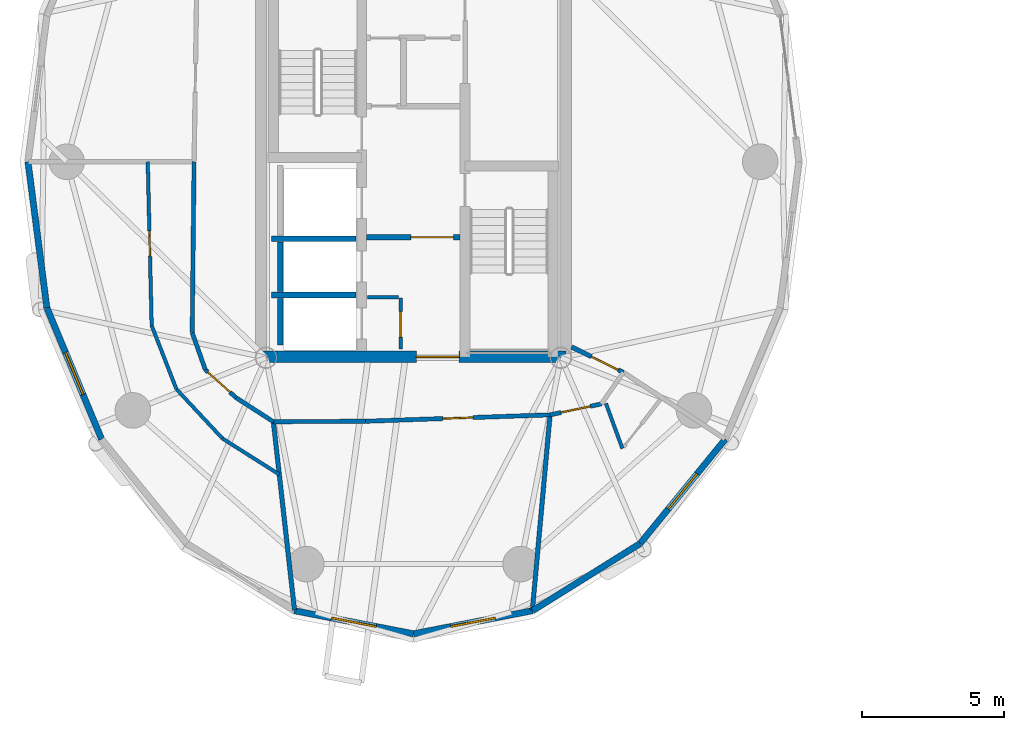
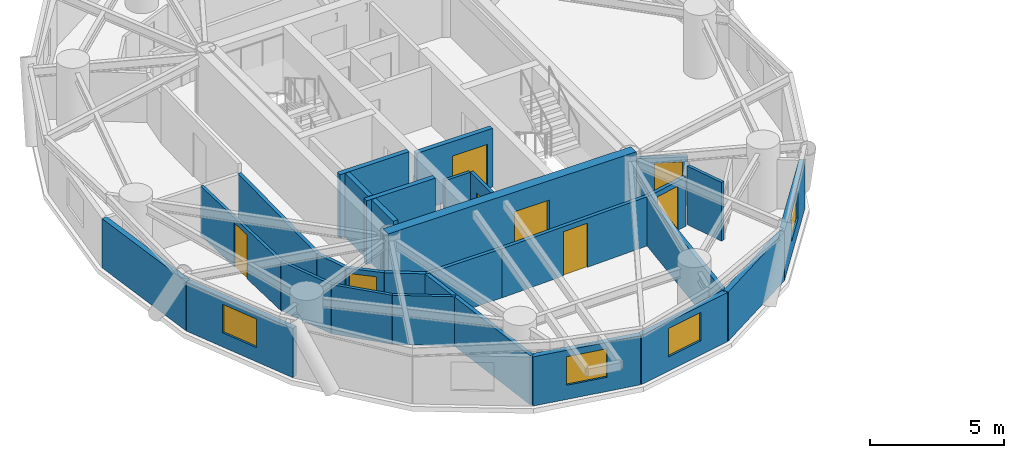
# One storey, part 9 of 17: 29 walls, 8 doors, 4 windows, 12 openings.
"""IFC4 building model written with IfcOpenShell, lengths in metres."""

from ifc_helpers import new_model, si_unit, direction, frame, frame_2d, origin, place, context, subcontext, project, spatial, rectangle, extrude, source, transform, mapped, material, layer, layer_set, type_object, element, fill, save


model = new_model("IFC4")

# Units and contexts
model_context = context("Model", 3, precision=1e-05, world=origin(), true_north=direction((0.0, 1.0)))
body_context = subcontext(model_context, "Body", "Model", "MODEL_VIEW")
ifc_project = project(units=[si_unit("LENGTHUNIT", "METRE"), si_unit("AREAUNIT", "SQUARE_METRE"), si_unit("VOLUMEUNIT", "CUBIC_METRE"), si_unit("PLANEANGLEUNIT", "RADIAN"), si_unit("MASSUNIT", "GRAM", prefix="KILO")], contexts=[model_context])

# Site, building, storey
site_placement = place(None, origin())
site = spatial("IfcSite", under=ifc_project, at=site_placement, CompositionType="ELEMENT")
building_placement = place(site_placement, origin())
building = spatial("IfcBuilding", under=site, at=building_placement, Name="Cununo Teusaquillo Station Towers", CompositionType="ELEMENT")
storey_placement = place(building_placement, frame((0.0, 0.0, 174.8798828125)))
storey = spatial("IfcBuildingStorey", under=building, at=storey_placement, Name="L55", CompositionType="ELEMENT", Elevation=174.8798828125)

# Walls
ifc_material_1 = material(Name="Concrete C50/60", Category="concrete")
ifc_layer_1 = layer(ifc_material_1, 0.199951171875)
ifc_layer_set_1 = layer_set([ifc_layer_1], Name="Concrete C50/60")
wall_type_1 = type_object("IfcWallType", Name="WL-CORE-200", PredefinedType="SHEAR", material=ifc_layer_set_1)
for number, where, z_axis, x_axis, name in (
    (1, (11.52001953125, 21.800048828125, 0.0), (0.0, 0.0, 1.0), (1.0, 0.0, 0.0), "L55 Tower A Firefighting Lift Shaft South Shear Wall"),
    (2, (11.52001953125, 19.824951171875, 0.0), (0.0, 0.0, 1.0), (1.0, 0.0, 0.0), "L55 Tower A High-Rise Lift Hoistway Divider Shear Wall"),
):
    element("IfcWall", number, at=place(storey_placement, frame(where, z_axis=z_axis, x_axis=x_axis)), inside=storey, type_object=wall_type_1, Name=name, PredefinedType="SHEAR", context=body_context, shape_type="SweptSolid", body=[
        extrude(rectangle(XDim=2.969970703125, YDim=0.199951171875, at=frame_2d((1.48486328125, 0.0))), origin(), (0.0, 0.0, 1.0), 2.91015625),
    ])
wall_1_placement = place(storey_placement, frame((11.820068359375, 19.945068359375, 0.0), z_axis=(0.0, 0.0, 1.0), x_axis=(0.0, 1.0, 0.0)))
element("IfcWall", 3, at=wall_1_placement, inside=storey, type_object=wall_type_1, Name="L55 Tower A High-Rise Lift 2 Shaft Rear Shear Wall", PredefinedType="SHEAR", context=body_context, shape_type="SweptSolid", body=[
    extrude(rectangle(XDim=1.73486328125, YDim=0.199951171875, at=frame_2d((0.867431640625, 0.0))), origin(), (0.0, 0.0, 1.0), 2.91015625),
])
wall_2_placement = place(storey_placement, frame((11.820068359375, 18.070068359375, 0.0), z_axis=(0.0, 0.0, 1.0), x_axis=(0.0, 1.0, 0.0)))
element("IfcWall", 4, at=wall_2_placement, inside=storey, type_object=wall_type_1, Name="L55 Tower A High-Rise Lift 1 Shaft Rear Shear Wall", PredefinedType="SHEAR", context=body_context, shape_type="SweptSolid", body=[
    extrude(rectangle(XDim=1.635009765625, YDim=0.199951171875, at=frame_2d((0.8173828125, 0.0))), origin(), (0.0, 0.0, 1.0), 2.91015625),
])

# Wall, opening, door
ifc_material_2 = material(Name="Concrete C50/60", Category="concrete")
ifc_layer_2 = layer(ifc_material_2, 0.39990234375)
ifc_layer_set_2 = layer_set([ifc_layer_2], Name="Concrete C50/60")
wall_type_2 = type_object("IfcWallType", Name="WL-CORE-400", PredefinedType="SHEAR", material=ifc_layer_set_2)
wall_3_placement = place(storey_placement, frame((11.14990234375, 17.64990234375, 0.0), z_axis=(0.0, 0.0, 1.0), x_axis=(1.0, 0.0, 0.0)))
wall_3 = element("IfcWall", 5, at=wall_3_placement, inside=storey, type_object=wall_type_2, Name="L55 Tower A Core Shear Wall S", PredefinedType="SHEAR", context=body_context, shape_type="SweptSolid", body=[
    extrude(rectangle(XDim=10.7001953125, YDim=0.39990234375, at=frame_2d((5.35009765625, 0.0))), origin(), (0.0, 0.0, 1.0), 2.91015625),
])
shared_shape_1 = source(origin(), body_context, "Body", "SweptSolid", [
    extrude(rectangle(XDim=1.5, YDim=2.02001953125, at=frame_2d((0.75, 1.010009765625))), frame((0.0, 0.2099609375, 0.0), z_axis=(0.0, -1.0, 0.0), x_axis=(1.0, 0.0, 0.0)), (0.0, 0.0, 1.0), 0.419921875),
])
opening_1_placement = place(wall_3_placement, frame((5.449951171875, 0.0, 0.0)))
opening_1 = element("IfcOpeningElement", 6, at=opening_1_placement, cuts=wall_3, Name="Opening D-LB1", PredefinedType="OPENING", context=body_context, shape_type="MappedRepresentation", body=[
    mapped(shared_shape_1, transform((0.0, 0.0, 0.0), x_axis=(1.0, 0.0, 0.0), y_axis=(0.0, 1.0, 0.0), z_axis=(0.0, 0.0, 1.0), scale=1.0)),
])
ifc_material_3 = material(Name="Galvanised fire-rated hollow steel door assembly", Category="steel")
door_type_1 = type_object("IfcDoorType", Name="DR-LOBBY-1500", OperationType="DOUBLE_DOOR_SINGLE_SWING", PredefinedType="DOOR", material=ifc_material_3)
shared_shape_2 = source(origin(), body_context, "Body", "SweptSolid", [
    extrude(rectangle(XDim=1.5, YDim=2.02001953125, at=frame_2d((0.75, 1.010009765625))), frame((0.0, 0.02490234375, 0.0), z_axis=(0.0, -1.0, 0.0), x_axis=(1.0, 0.0, 0.0)), (0.0, 0.0, 1.0), 0.050048828125),
])
door_1_placement = place(opening_1_placement, origin())
door_1 = element("IfcDoor", 7, at=door_1_placement, inside=storey, type_object=door_type_1, Name="L55 Tower A South Core Lift Lobby Door", OperationType="DOUBLE_DOOR_SINGLE_SWING", OverallHeight=2.02001953125, OverallWidth=1.5, PredefinedType="DOOR", context=body_context, shape_type="MappedRepresentation", body=[
    mapped(shared_shape_2, transform((0.0, 0.0, 0.0), x_axis=(1.0, 0.0, 0.0), y_axis=(0.0, 1.0, 0.0), z_axis=(0.0, 0.0, 1.0), scale=1.0)),
])
fill(opening_1, door_1)

# Wall
ifc_material_4 = material(Name="Precast concrete C40/50", Category="concrete")
ifc_layer_3 = layer(ifc_material_4, 0.219970703125)
ifc_layer_set_3 = layer_set([ifc_layer_3], Name="Precast concrete C40/50")
wall_type_3 = type_object("IfcWallType", Name="WL-EXT-220", PredefinedType="SOLIDWALL", material=ifc_layer_set_3)
wall_4_placement = place(storey_placement, frame((3.63134765625, 19.379638671875, 0.0), z_axis=(0.0, 0.0, 1.0), x_axis=(-0.128287912609, 0.991736966881, 0.0)))
element("IfcWall", 8, at=wall_4_placement, inside=storey, type_object=wall_type_3, Name="L55 Tower A Exterior Facade Wall C10", PredefinedType="SOLIDWALL", context=body_context, shape_type="SweptSolid", body=[
    extrude(rectangle(XDim=5.1630859375, YDim=0.219970703125, at=frame_2d((2.58154296875, 0.0))), origin(), (0.0, 0.0, 1.0), 2.2451171875),
])

# Wall, opening, window
wall_5_placement = place(storey_placement, frame((5.55322265625, 14.760498046875, 0.0), z_axis=(0.0, 0.0, 1.0), x_axis=(-0.384144094086, 0.923273152961, 0.0)))
wall_5 = element("IfcWall", 9, at=wall_5_placement, inside=storey, type_object=wall_type_3, Name="L55 Tower A Exterior Facade Wall C11", PredefinedType="SOLIDWALL", context=body_context, shape_type="SweptSolid", body=[
    extrude(rectangle(XDim=5.0029296875, YDim=0.219970703125, at=frame_2d((2.50146484375, 0.0))), origin(), (0.0, 0.0, 1.0), 2.2451171875),
])
shared_shape_3 = source(origin(), body_context, "Body", "SweptSolid", [
    extrude(rectangle(XDim=1.60009765625, YDim=1.300048828125, at=frame_2d((0.800048828125, 0.64990234375))), frame((0.0, 0.119873046875, 0.0), z_axis=(0.0, -1.0, 0.0), x_axis=(1.0, 0.0, 0.0)), (0.0, 0.0, 1.0), 0.239990234375),
])
opening_2_placement = place(wall_5_placement, frame((1.701904296875, 0.0, 0.64990234375)))
opening_2 = element("IfcOpeningElement", 10, at=opening_2_placement, cuts=wall_5, Name="Opening WN-03", PredefinedType="OPENING", context=body_context, shape_type="MappedRepresentation", body=[
    mapped(shared_shape_3, transform((0.0, 0.0, 0.0), x_axis=(1.0, 0.0, 0.0), y_axis=(0.0, 1.0, 0.0), z_axis=(0.0, 0.0, 1.0), scale=1.0)),
])
ifc_material_5 = material(Name="Ceramic-fritted dark low-E double glazing", Category="glass")
window_type = type_object("IfcWindowType", Name="WIN-CORN-1600", PartitioningType="SINGLE_PANEL", PredefinedType="WINDOW", material=ifc_material_5)
shared_shape_4 = source(origin(), body_context, "Body", "SweptSolid", [
    extrude(rectangle(XDim=1.60009765625, YDim=1.300048828125, at=frame_2d((0.800048828125, 0.64990234375))), frame((0.0, 0.030029296875, 0.0), z_axis=(0.0, -1.0, 0.0), x_axis=(1.0, 0.0, 0.0)), (0.0, 0.0, 1.0), 0.06005859375),
])
window_1_placement = place(opening_2_placement, origin())
window_1 = element("IfcWindow", 11, at=window_1_placement, inside=storey, type_object=window_type, Name="L55 Tower A Facade Window C11", OverallHeight=1.300048828125, OverallWidth=1.60009765625, PartitioningType="SINGLE_PANEL", PredefinedType="WINDOW", context=body_context, shape_type="MappedRepresentation", body=[
    mapped(shared_shape_4, transform((0.0, 0.0, 0.0), x_axis=(1.0, 0.0, 0.0), y_axis=(0.0, 1.0, 0.0), z_axis=(0.0, 0.0, 1.0), scale=1.0)),
])
fill(opening_2, window_1)

wall_6_placement = place(storey_placement, frame((16.5, 7.929931640625, 0.0), z_axis=(0.0, 0.0, 1.0), x_axis=(-0.981703883443, 0.190413983815, 0.0)))
wall_6 = element("IfcWall", 12, at=wall_6_placement, inside=storey, type_object=wall_type_3, Name="L55 Tower A Exterior Facade Wall C14", PredefinedType="SOLIDWALL", context=body_context, shape_type="SweptSolid", body=[
    extrude(rectangle(XDim=4.25927734375, YDim=0.219970703125, at=frame_2d((2.129638671875, 0.0))), origin(), (0.0, 0.0, 1.0), 2.2451171875),
])
opening_3_placement = place(wall_6_placement, frame((1.330078125, 0.0, 0.64990234375)))
opening_3 = element("IfcOpeningElement", 13, at=opening_3_placement, cuts=wall_6, Name="Opening WN-03", PredefinedType="OPENING", context=body_context, shape_type="MappedRepresentation", body=[
    mapped(shared_shape_3, transform((0.0, 0.0, 0.0), x_axis=(1.0, 0.0, 0.0), y_axis=(0.0, 1.0, 0.0), z_axis=(0.0, 0.0, 1.0), scale=1.0)),
])
window_2_placement = place(opening_3_placement, origin())
window_2 = element("IfcWindow", 14, at=window_2_placement, inside=storey, type_object=window_type, Name="L55 Tower A Facade Window C14", OverallHeight=1.300048828125, OverallWidth=1.60009765625, PartitioningType="SINGLE_PANEL", PredefinedType="WINDOW", context=body_context, shape_type="MappedRepresentation", body=[
    mapped(shared_shape_4, transform((0.0, 0.0, 0.0), x_axis=(1.0, 0.0, 0.0), y_axis=(0.0, 1.0, 0.0), z_axis=(0.0, 0.0, 1.0), scale=1.0)),
])
fill(opening_3, window_2)

wall_7_placement = place(storey_placement, frame((20.681396484375, 8.740966796875, 0.0), z_axis=(0.0, 0.0, 1.0), x_axis=(-0.981703883443, -0.190413983815, 0.0)))
wall_7 = element("IfcWall", 15, at=wall_7_placement, inside=storey, type_object=wall_type_3, Name="L55 Tower A Exterior Facade Wall C15", PredefinedType="SOLIDWALL", context=body_context, shape_type="SweptSolid", body=[
    extrude(rectangle(XDim=4.25927734375, YDim=0.219970703125, at=frame_2d((2.129638671875, 0.0))), origin(), (0.0, 0.0, 1.0), 2.2451171875),
])
opening_4_placement = place(wall_7_placement, frame((1.330078125, 0.0, 0.64990234375)))
opening_4 = element("IfcOpeningElement", 16, at=opening_4_placement, cuts=wall_7, Name="Opening WN-03", PredefinedType="OPENING", context=body_context, shape_type="MappedRepresentation", body=[
    mapped(shared_shape_3, transform((0.0, 0.0, 0.0), x_axis=(1.0, 0.0, 0.0), y_axis=(0.0, 1.0, 0.0), z_axis=(0.0, 0.0, 1.0), scale=1.0)),
])
window_3_placement = place(opening_4_placement, origin())
window_3 = element("IfcWindow", 17, at=window_3_placement, inside=storey, type_object=window_type, Name="L55 Tower A Facade Window C15", OverallHeight=1.300048828125, OverallWidth=1.60009765625, PartitioningType="SINGLE_PANEL", PredefinedType="WINDOW", context=body_context, shape_type="MappedRepresentation", body=[
    mapped(shared_shape_4, transform((0.0, 0.0, 0.0), x_axis=(1.0, 0.0, 0.0), y_axis=(0.0, 1.0, 0.0), z_axis=(0.0, 0.0, 1.0), scale=1.0)),
])
fill(opening_4, window_3)

# Wall
wall_8_placement = place(storey_placement, frame((24.453369140625, 11.094482421875, 0.0), z_axis=(0.0, 0.0, 1.0), x_axis=(-0.848399108042, -0.529357113368, 0.0)))
element("IfcWall", 18, at=wall_8_placement, inside=storey, type_object=wall_type_3, Name="L55 Tower A Exterior Facade Wall C16", PredefinedType="SOLIDWALL", context=body_context, shape_type="SweptSolid", body=[
    extrude(rectangle(XDim=4.446044921875, YDim=0.219970703125, at=frame_2d((2.22314453125, 0.0))), origin(), (0.0, 0.0, 1.0), 2.2451171875),
])

# Wall, opening, window
wall_9_placement = place(storey_placement, frame((27.44677734375, 14.760498046875, 0.0), z_axis=(0.0, 0.0, 1.0), x_axis=(-0.632470615287, -0.774584353572, 0.0)))
wall_9 = element("IfcWall", 19, at=wall_9_placement, inside=storey, type_object=wall_type_3, Name="L55 Tower A Exterior Facade Wall C17", PredefinedType="SOLIDWALL", context=body_context, shape_type="SweptSolid", body=[
    extrude(rectangle(XDim=4.73291015625, YDim=0.219970703125, at=frame_2d((2.366455078125, 0.0))), origin(), (0.0, 0.0, 1.0), 2.2451171875),
])
opening_5_placement = place(wall_9_placement, frame((1.56591796875, 0.0, 0.64990234375)))
opening_5 = element("IfcOpeningElement", 20, at=opening_5_placement, cuts=wall_9, Name="Opening WN-03", PredefinedType="OPENING", context=body_context, shape_type="MappedRepresentation", body=[
    mapped(shared_shape_3, transform((0.0, 0.0, 0.0), x_axis=(1.0, 0.0, 0.0), y_axis=(0.0, 1.0, 0.0), z_axis=(0.0, 0.0, 1.0), scale=1.0)),
])
window_4_placement = place(opening_5_placement, origin())
window_4 = element("IfcWindow", 21, at=window_4_placement, inside=storey, type_object=window_type, Name="L55 Tower A Facade Window C17", OverallHeight=1.300048828125, OverallWidth=1.60009765625, PartitioningType="SINGLE_PANEL", PredefinedType="WINDOW", context=body_context, shape_type="MappedRepresentation", body=[
    mapped(shared_shape_4, transform((0.0, 0.0, 0.0), x_axis=(1.0, 0.0, 0.0), y_axis=(0.0, 1.0, 0.0), z_axis=(0.0, 0.0, 1.0), scale=1.0)),
])
fill(opening_5, window_4)

# Wall, opening, door
ifc_material_6 = material(Name="Fire-rated gypsum plasterboard partition assembly", Category="gypsum")
ifc_layer_4 = layer(ifc_material_6, 0.125)
ifc_layer_set_4 = layer_set([ifc_layer_4], Name="Fire-rated gypsum plasterboard partition assembly")
wall_type_4 = type_object("IfcWallType", Name="WL-PART-125", PredefinedType="PARTITIONING", material=ifc_layer_set_4)
wall_10_placement = place(storey_placement, frame((16.050048828125, 17.919921875, 0.0), z_axis=(0.0, 0.0, 1.0), x_axis=(0.0, 1.0, 0.0)))
wall_10 = element("IfcWall", 22, at=wall_10_placement, inside=storey, type_object=wall_type_4, Name="L55 Tower A South-West Compact Store East Wall", PredefinedType="PARTITIONING", context=body_context, shape_type="SweptSolid", body=[
    extrude(rectangle(XDim=1.800048828125, YDim=0.125, at=frame_2d((0.89990234375, 0.0))), origin(), (0.0, 0.0, 1.0), 2.675048828125),
])
shared_shape_5 = source(origin(), body_context, "Body", "SweptSolid", [
    extrude(rectangle(XDim=0.89990234375, YDim=2.0048828125, at=frame_2d((0.449951171875, 1.00244140625))), frame((0.0, 0.072509765625, 0.0), z_axis=(0.0, -1.0, 0.0), x_axis=(1.0, 0.0, 0.0)), (0.0, 0.0, 1.0), 0.14501953125),
])
opening_6_placement = place(wall_10_placement, frame((0.419921875, 0.0, 0.0)))
opening_6 = element("IfcOpeningElement", 23, at=opening_6_placement, cuts=wall_10, Name="Opening D-SR1", PredefinedType="OPENING", context=body_context, shape_type="MappedRepresentation", body=[
    mapped(shared_shape_5, transform((0.0, 0.0, 0.0), x_axis=(1.0, 0.0, 0.0), y_axis=(0.0, 1.0, 0.0), z_axis=(0.0, 0.0, 1.0), scale=1.0)),
])
ifc_material_7 = material(Name="Galvanised fire-rated hollow steel door assembly", Category="steel")
door_type_2 = type_object("IfcDoorType", Name="DR-STORE-900", OperationType="NOTDEFINED", PredefinedType="DOOR", material=ifc_material_7)
shared_shape_6 = source(origin(), body_context, "Body", "SweptSolid", [
    extrude(rectangle(XDim=0.89990234375, YDim=2.0048828125, at=frame_2d((0.449951171875, 1.00244140625))), frame((0.0, 0.02490234375, 0.0), z_axis=(0.0, -1.0, 0.0), x_axis=(1.0, 0.0, 0.0)), (0.0, 0.0, 1.0), 0.050048828125),
])
door_2_placement = place(opening_6_placement, origin())
door_2 = element("IfcDoor", 24, at=door_2_placement, inside=storey, type_object=door_type_2, Name="L55 Tower A Core Electrical & Comms Store Door", OperationType="SINGLE_SWING_RIGHT", OverallHeight=2.0048828125, OverallWidth=0.89990234375, PredefinedType="DOOR", context=body_context, shape_type="MappedRepresentation", body=[
    mapped(shared_shape_6, transform((0.0, 0.0, 0.0), x_axis=(1.0, 0.0, 0.0), y_axis=(0.0, 1.0, 0.0), z_axis=(0.0, 0.0, 1.0), scale=1.0)),
])
fill(opening_6, door_2)

# Wall
wall_11_placement = place(storey_placement, frame((14.8798828125, 19.75, 0.0), z_axis=(0.0, 0.0, 1.0), x_axis=(1.0, 0.0, 0.0)))
element("IfcWall", 25, at=wall_11_placement, inside=storey, type_object=wall_type_4, Name="L55 Tower A South-West Compact Store North Wall", PredefinedType="PARTITIONING", context=body_context, shape_type="SweptSolid", body=[
    extrude(rectangle(XDim=1.10009765625, YDim=0.125, at=frame_2d((0.550048828125, 0.0))), origin(), (0.0, 0.0, 1.0), 2.675048828125),
])

# Wall, opening, door
wall_12_placement = place(storey_placement, frame((7.1728515625, 24.5, 0.0), z_axis=(0.0, 0.0, 1.0), x_axis=(0.023936084601, -0.999713490883, 0.0)))
wall_12 = element("IfcWall", 26, at=wall_12_placement, inside=storey, type_object=wall_type_4, Name="L55 Tower A Grand Cordillera Club Salon Concentric Partition Wall C10", PredefinedType="PARTITIONING", context=body_context, shape_type="SweptSolid", body=[
    extrude(rectangle(XDim=5.752685546875, YDim=0.125, at=frame_2d((2.87646484375, 0.0))), origin(), (0.0, 0.0, 1.0), 2.2451171875),
])
opening_7_placement = place(wall_12_placement, frame((2.42626953125, 0.0, 0.0)))
opening_7 = element("IfcOpeningElement", 27, at=opening_7_placement, cuts=wall_12, Name="Opening D-IN1", PredefinedType="OPENING", context=body_context, shape_type="MappedRepresentation", body=[
    mapped(shared_shape_5, transform((0.0, 0.0, 0.0), x_axis=(1.0, 0.0, 0.0), y_axis=(0.0, 1.0, 0.0), z_axis=(0.0, 0.0, 1.0), scale=1.0)),
])
ifc_material_8 = material(Name="Acoustic solid-core hardwood leaf assembly", Category="wood")
door_type_3 = type_object("IfcDoorType", Name="DR-INT-900", OperationType="NOTDEFINED", PredefinedType="DOOR", material=ifc_material_8)
door_3_placement = place(opening_7_placement, origin())
door_3 = element("IfcDoor", 28, at=door_3_placement, inside=storey, type_object=door_type_3, Name="L55 Tower A Grand Cordillera Club Salon Connecting Door", OperationType="SINGLE_SWING_LEFT", OverallHeight=2.0048828125, OverallWidth=0.89990234375, PredefinedType="DOOR", context=body_context, shape_type="MappedRepresentation", body=[
    mapped(shared_shape_6, transform((0.0, 0.0, 0.0), x_axis=(1.0, 0.0, 0.0), y_axis=(0.0, 1.0, 0.0), z_axis=(0.0, 0.0, 1.0), scale=1.0)),
])
fill(opening_7, door_3)

# Walls
wall_13_placement = place(storey_placement, frame((7.310546875, 18.7490234375, 0.0), z_axis=(0.0, 0.0, 1.0), x_axis=(0.363119757726, -0.931742475982, 0.0)))
element("IfcWall", 29, at=wall_13_placement, inside=storey, type_object=wall_type_4, Name="L55 Tower A Grand Cordillera Club Salon Concentric Partition Wall C11", PredefinedType="PARTITIONING", context=body_context, shape_type="SweptSolid", body=[
    extrude(rectangle(XDim=2.396240234375, YDim=0.125, at=frame_2d((1.1982421875, 0.0))), origin(), (0.0, 0.0, 1.0), 2.2451171875),
])
wall_14_placement = place(storey_placement, frame((8.1806640625, 16.516357421875, 0.0), z_axis=(0.0, 0.0, 1.0), x_axis=(0.682244764422, -0.731123848209, 0.0)))
element("IfcWall", 30, at=wall_14_placement, inside=storey, type_object=wall_type_4, Name="L55 Tower A Grand Cordillera Club Salon Concentric Partition Wall C12", PredefinedType="PARTITIONING", context=body_context, shape_type="SweptSolid", body=[
    extrude(rectangle(XDim=2.367431640625, YDim=0.125, at=frame_2d((1.18359375, 0.0))), origin(), (0.0, 0.0, 1.0), 2.2451171875),
])
wall_15_placement = place(storey_placement, frame((9.7958984375, 14.785400390625, 0.0), z_axis=(0.0, 0.0, 1.0), x_axis=(0.844898543763, -0.534926584446, 0.0)))
element("IfcWall", 31, at=wall_15_placement, inside=storey, type_object=wall_type_4, Name="L55 Tower A Grand Cordillera Club Salon Concentric Partition Wall C13", PredefinedType="PARTITIONING", context=body_context, shape_type="SweptSolid", body=[
    extrude(rectangle(XDim=2.360595703125, YDim=0.125, at=frame_2d((1.18017578125, 0.0))), origin(), (0.0, 0.0, 1.0), 2.2451171875),
])
wall_16_placement = place(storey_placement, frame((23.256103515625, 16.018310546875, 0.0), z_axis=(0.0, 0.0, 1.0), x_axis=(0.342788033774, -0.939412776101, 0.0)))
element("IfcWall", 32, at=wall_16_placement, inside=storey, type_object=wall_type_4, Name="L55 Tower A S06 En-suite Side Wall", PredefinedType="PARTITIONING", context=body_context, shape_type="SweptSolid", body=[
    extrude(rectangle(XDim=1.68798828125, YDim=0.125, at=frame_2d((0.843994140625, 0.0))), origin(), (0.0, 0.0, 1.0), 2.675048828125),
])
ifc_material_9 = material(Name="Fire-rated gypsum plasterboard partition assembly", Category="gypsum")
ifc_layer_5 = layer(ifc_material_9, 0.14990234375)
ifc_layer_set_5 = layer_set([ifc_layer_5], Name="Fire-rated gypsum plasterboard partition assembly")
wall_type_5 = type_object("IfcWallType", Name="WL-PART-150", PredefinedType="PARTITIONING", material=ifc_layer_set_5)
wall_17_placement = place(storey_placement, frame((8.800048828125, 24.5, 0.0), z_axis=(0.0, 0.0, 1.0), x_axis=(-0.011028591374, -0.999939183237, 0.0)))
element("IfcWall", 33, at=wall_17_placement, inside=storey, type_object=wall_type_5, Name="L55 Tower A Corridor Ring Wall C10", PredefinedType="PARTITIONING", context=body_context, shape_type="SweptSolid", body=[
    extrude(rectangle(XDim=5.9990234375, YDim=0.14990234375, at=frame_2d((2.99951171875, 0.0))), origin(), (0.0, 0.0, 1.0), 2.2451171875),
])
wall_18_placement = place(storey_placement, frame((8.73388671875, 18.501220703125, 0.0), z_axis=(0.0, 0.0, 1.0), x_axis=(0.333612366873, -0.94271034187, 0.0)))
element("IfcWall", 34, at=wall_18_placement, inside=storey, type_object=wall_type_5, Name="L55 Tower A Corridor Ring Wall C11", PredefinedType="PARTITIONING", context=body_context, shape_type="SweptSolid", body=[
    extrude(rectangle(XDim=1.385986328125, YDim=0.14990234375, at=frame_2d((0.69287109375, 0.0))), origin(), (0.0, 0.0, 1.0), 2.2451171875),
])

# Wall, opening, door
wall_19_placement = place(storey_placement, frame((9.1962890625, 17.194580078125, 0.0), z_axis=(0.0, 0.0, 1.0), x_axis=(0.740734525483, -0.671797858553, 0.0)))
wall_19 = element("IfcWall", 35, at=wall_19_placement, inside=storey, type_object=wall_type_5, Name="L55 Tower A Corridor Ring Wall C12", PredefinedType="PARTITIONING", context=body_context, shape_type="SweptSolid", body=[
    extrude(rectangle(XDim=1.459228515625, YDim=0.14990234375, at=frame_2d((0.7294921875, 0.0))), origin(), (0.0, 0.0, 1.0), 2.2451171875),
])
shared_shape_7 = source(origin(), body_context, "Body", "SweptSolid", [
    extrude(rectangle(XDim=1.050048828125, YDim=2.014892578125, at=frame_2d((0.52490234375, 1.00732421875))), frame((0.0, 0.0849609375, 0.0), z_axis=(0.0, -1.0, 0.0), x_axis=(1.0, 0.0, 0.0)), (0.0, 0.0, 1.0), 0.169921875),
])
opening_8_placement = place(wall_19_placement, frame((0.1201171875, 0.0, 0.0)))
opening_8 = element("IfcOpeningElement", 36, at=opening_8_placement, cuts=wall_19, Name="Opening D-SU1", PredefinedType="OPENING", context=body_context, shape_type="MappedRepresentation", body=[
    mapped(shared_shape_7, transform((0.0, 0.0, 0.0), x_axis=(1.0, 0.0, 0.0), y_axis=(0.0, 1.0, 0.0), z_axis=(0.0, 0.0, 1.0), scale=1.0)),
])
ifc_material_10 = material(Name="Acoustic solid-core hardwood leaf assembly", Category="wood")
door_type_4 = type_object("IfcDoorType", Name="DR-SUITE-1050", OperationType="NOTDEFINED", PredefinedType="DOOR", material=ifc_material_10)
shared_shape_8 = source(origin(), body_context, "Body", "SweptSolid", [
    extrude(rectangle(XDim=1.050048828125, YDim=2.014892578125, at=frame_2d((0.52490234375, 1.00732421875))), frame((0.0, 0.02490234375, 0.0), z_axis=(0.0, -1.0, 0.0), x_axis=(1.0, 0.0, 0.0)), (0.0, 0.0, 1.0), 0.050048828125),
])
door_4_placement = place(opening_8_placement, origin())
door_4 = element("IfcDoor", 37, at=door_4_placement, inside=storey, type_object=door_type_4, Name="L55 Tower A Grand Cordillera Club Salon Entrance Door", OperationType="SINGLE_SWING_RIGHT", OverallHeight=2.014892578125, OverallWidth=1.050048828125, PredefinedType="DOOR", context=body_context, shape_type="MappedRepresentation", body=[
    mapped(shared_shape_8, transform((0.0, 0.0, 0.0), x_axis=(1.0, 0.0, 0.0), y_axis=(0.0, 1.0, 0.0), z_axis=(0.0, 0.0, 1.0), scale=1.0)),
])
fill(opening_8, door_4)

# Walls
wall_20_placement = place(storey_placement, frame((10.277099609375, 16.21435546875, 0.0), z_axis=(0.0, 0.0, 1.0), x_axis=(0.841060909507, -0.540940427865, 0.0)))
element("IfcWall", 38, at=wall_20_placement, inside=storey, type_object=wall_type_5, Name="L55 Tower A Corridor Ring Wall C13", PredefinedType="PARTITIONING", context=body_context, shape_type="SweptSolid", body=[
    extrude(rectangle(XDim=1.552001953125, YDim=0.14990234375, at=frame_2d((0.77587890625, 0.0))), origin(), (0.0, 0.0, 1.0), 2.2451171875),
])
wall_21_placement = place(storey_placement, frame((11.58251953125, 15.374755859375, 0.0), z_axis=(0.0, 0.0, 1.0), x_axis=(0.999988014548, 0.004895994347, 0.0)))
element("IfcWall", 39, at=wall_21_placement, inside=storey, type_object=wall_type_5, Name="L55 Tower A Corridor Ring Wall C14", PredefinedType="PARTITIONING", context=body_context, shape_type="SweptSolid", body=[
    extrude(rectangle(XDim=3.2412109375, YDim=0.14990234375, at=frame_2d((1.62060546875, 0.0))), origin(), (0.0, 0.0, 1.0), 2.2451171875),
])

# Wall, opening, door
wall_22_placement = place(storey_placement, frame((14.82373046875, 15.390625, 0.0), z_axis=(0.0, 0.0, 1.0), x_axis=(0.999399579064, 0.034647963376, 0.0)))
wall_22 = element("IfcWall", 40, at=wall_22_placement, inside=storey, type_object=wall_type_5, Name="L55 Tower A Corridor Ring Wall C15", PredefinedType="PARTITIONING", context=body_context, shape_type="SweptSolid", body=[
    extrude(rectangle(XDim=6.4755859375, YDim=0.14990234375, at=frame_2d((3.23779296875, 0.0))), origin(), (0.0, 0.0, 1.0), 2.2451171875),
])
opening_9_placement = place(wall_22_placement, frame((2.712890625, 0.0, 0.0)))
opening_9 = element("IfcOpeningElement", 41, at=opening_9_placement, cuts=wall_22, Name="Opening D-SU1", PredefinedType="OPENING", context=body_context, shape_type="MappedRepresentation", body=[
    mapped(shared_shape_7, transform((0.0, 0.0, 0.0), x_axis=(1.0, 0.0, 0.0), y_axis=(0.0, 1.0, 0.0), z_axis=(0.0, 0.0, 1.0), scale=1.0)),
])
door_5_placement = place(opening_9_placement, origin())
door_5 = element("IfcDoor", 42, at=door_5_placement, inside=storey, type_object=door_type_4, Name="L55 Tower A Hotel Housekeeping & Linen Pantry Entrance Door", OperationType="SINGLE_SWING_RIGHT", OverallHeight=2.014892578125, OverallWidth=1.050048828125, PredefinedType="DOOR", context=body_context, shape_type="MappedRepresentation", body=[
    mapped(shared_shape_8, transform((0.0, 0.0, 0.0), x_axis=(1.0, 0.0, 0.0), y_axis=(0.0, 1.0, 0.0), z_axis=(0.0, 0.0, 1.0), scale=1.0)),
])
fill(opening_9, door_5)

wall_23_placement = place(storey_placement, frame((21.29541015625, 15.614990234375, 0.0), z_axis=(0.0, 0.0, 1.0), x_axis=(0.978043957244, 0.20839869889, 0.0)))
wall_23 = element("IfcWall", 43, at=wall_23_placement, inside=storey, type_object=wall_type_5, Name="L55 Tower A Corridor Ring Wall C16", PredefinedType="PARTITIONING", context=body_context, shape_type="SweptSolid", body=[
    extrude(rectangle(XDim=1.843994140625, YDim=0.14990234375, at=frame_2d((0.921875, 0.0))), origin(), (0.0, 0.0, 1.0), 2.2451171875),
])
opening_10_placement = place(wall_23_placement, frame((0.39697265625, 0.0, 0.0)))
opening_10 = element("IfcOpeningElement", 44, at=opening_10_placement, cuts=wall_23, Name="Opening D-SU1", PredefinedType="OPENING", context=body_context, shape_type="MappedRepresentation", body=[
    mapped(shared_shape_7, transform((0.0, 0.0, 0.0), x_axis=(1.0, 0.0, 0.0), y_axis=(0.0, 1.0, 0.0), z_axis=(0.0, 0.0, 1.0), scale=1.0)),
])
door_6_placement = place(opening_10_placement, origin())
door_6 = element("IfcDoor", 45, at=door_6_placement, inside=storey, type_object=door_type_4, Name="L55 Tower A Diplomatic Crest Hotel Suite Entrance Door", OperationType="SINGLE_SWING_LEFT", OverallHeight=2.014892578125, OverallWidth=1.050048828125, PredefinedType="DOOR", context=body_context, shape_type="MappedRepresentation", body=[
    mapped(shared_shape_8, transform((0.0, 0.0, 0.0), x_axis=(1.0, 0.0, 0.0), y_axis=(0.0, 1.0, 0.0), z_axis=(0.0, 0.0, 1.0), scale=1.0)),
])
fill(opening_10, door_6)

# Walls
ifc_material_11 = material(Name="Fire-rated gypsum plasterboard partition assembly", Category="gypsum")
ifc_layer_6 = layer(ifc_material_11, 0.159912109375)
ifc_layer_set_6 = layer_set([ifc_layer_6], Name="Fire-rated gypsum plasterboard partition assembly")
wall_type_6 = type_object("IfcWallType", Name="WL-PART-160", PredefinedType="PARTITIONING", material=ifc_layer_set_6)
wall_24_placement = place(storey_placement, frame((11.58251953125, 15.374755859375, 0.0), z_axis=(0.0, 0.0, 1.0), x_axis=(0.111538514066, -0.993760111838, 0.0)))
element("IfcWall", 46, at=wall_24_placement, inside=storey, type_object=wall_type_6, Name="L55 Tower A Radial Suite Partition R05", PredefinedType="PARTITIONING", context=body_context, shape_type="SweptSolid", body=[
    extrude(rectangle(XDim=6.65625, YDim=0.159912109375, at=frame_2d((3.328125, 0.0))), origin(), (0.0, 0.0, 1.0), 2.2451171875),
])
wall_25_placement = place(storey_placement, frame((21.29541015625, 15.614990234375, 0.0), z_axis=(0.0, 0.0, 1.0), x_axis=(-0.090129576558, -0.995930047458, 0.0)))
element("IfcWall", 47, at=wall_25_placement, inside=storey, type_object=wall_type_6, Name="L55 Tower A Radial Suite Partition R06", PredefinedType="PARTITIONING", context=body_context, shape_type="SweptSolid", body=[
    extrude(rectangle(XDim=6.883056640625, YDim=0.159912109375, at=frame_2d((3.44140625, 0.0))), origin(), (0.0, 0.0, 1.0), 2.2451171875),
])

# Wall, opening, door
wall_26_placement = place(storey_placement, frame((22.050048828125, 18.0, 0.0), z_axis=(0.0, 0.0, 1.0), x_axis=(0.897159648657, -0.441706423795, 0.0)))
wall_26 = element("IfcWall", 48, at=wall_26_placement, inside=storey, type_object=wall_type_6, Name="L55 Tower A East Salon Corridor Portal Wall SE", PredefinedType="PARTITIONING", context=body_context, shape_type="SweptSolid", body=[
    extrude(rectangle(XDim=2.024658203125, YDim=0.159912109375, at=frame_2d((1.01220703125, 0.0))), origin(), (0.0, 0.0, 1.0), 2.2451171875),
])
shared_shape_9 = source(origin(), body_context, "Body", "SweptSolid", [
    extrude(rectangle(XDim=1.050048828125, YDim=2.014892578125, at=frame_2d((0.52490234375, 1.00732421875))), frame((0.0, 0.08984375, 0.0), z_axis=(0.0, -1.0, 0.0), x_axis=(1.0, 0.0, 0.0)), (0.0, 0.0, 1.0), 0.179931640625),
])
opening_11_placement = place(wall_26_placement, frame((0.774658203125, 0.0, 0.0)))
opening_11 = element("IfcOpeningElement", 49, at=opening_11_placement, cuts=wall_26, Name="Opening D-SU1", PredefinedType="OPENING", context=body_context, shape_type="MappedRepresentation", body=[
    mapped(shared_shape_9, transform((0.0, 0.0, 0.0), x_axis=(1.0, 0.0, 0.0), y_axis=(0.0, 1.0, 0.0), z_axis=(0.0, 0.0, 1.0), scale=1.0)),
])
door_7_placement = place(opening_11_placement, origin())
door_7 = element("IfcDoor", 50, at=door_7_placement, inside=storey, type_object=door_type_4, Name="L55 Tower A East Panorama Sky Salon Door SE", OperationType="SINGLE_SWING_RIGHT", OverallHeight=2.014892578125, OverallWidth=1.050048828125, PredefinedType="DOOR", context=body_context, shape_type="MappedRepresentation", body=[
    mapped(shared_shape_8, transform((0.0, 0.0, 0.0), x_axis=(1.0, 0.0, 0.0), y_axis=(0.0, 1.0, 0.0), z_axis=(0.0, 0.0, 1.0), scale=1.0)),
])
fill(opening_11, door_7)

ifc_material_12 = material(Name="Fire-rated gypsum plasterboard partition assembly", Category="gypsum")
ifc_layer_7 = layer(ifc_material_12, 0.199951171875)
ifc_layer_set_7 = layer_set([ifc_layer_7], Name="Fire-rated gypsum plasterboard partition assembly")
wall_type_7 = type_object("IfcWallType", Name="WL-PART-200", PredefinedType="PARTITIONING", material=ifc_layer_set_7)
wall_27_placement = place(storey_placement, frame((14.860107421875, 21.85009765625, 0.0), z_axis=(0.0, 0.0, 1.0), x_axis=(1.0, 0.0, 0.0)))
wall_27 = element("IfcWall", 51, at=wall_27_placement, inside=storey, type_object=wall_type_7, Name="L55 Tower A Firefighting Lift Lobby South Fire Wall", PredefinedType="PARTITIONING", context=body_context, shape_type="SweptSolid", body=[
    extrude(rectangle(XDim=3.27978515625, YDim=0.199951171875, at=frame_2d((1.639892578125, 0.0))), origin(), (0.0, 0.0, 1.0), 2.675048828125),
])
shared_shape_10 = source(origin(), body_context, "Body", "SweptSolid", [
    extrude(rectangle(XDim=1.5, YDim=2.02001953125, at=frame_2d((0.75, 1.010009765625))), frame((0.0, 0.10986328125, 0.0), z_axis=(0.0, -1.0, 0.0), x_axis=(1.0, 0.0, 0.0)), (0.0, 0.0, 1.0), 0.219970703125),
])
opening_12_placement = place(wall_27_placement, frame((1.550048828125, 0.0, 0.0)))
opening_12 = element("IfcOpeningElement", 52, at=opening_12_placement, cuts=wall_27, Name="Opening D-LB1", PredefinedType="OPENING", context=body_context, shape_type="MappedRepresentation", body=[
    mapped(shared_shape_10, transform((0.0, 0.0, 0.0), x_axis=(1.0, 0.0, 0.0), y_axis=(0.0, 1.0, 0.0), z_axis=(0.0, 0.0, 1.0), scale=1.0)),
])
door_8_placement = place(opening_12_placement, origin())
door_8 = element("IfcDoor", 53, at=door_8_placement, inside=storey, type_object=door_type_1, Name="L55 Tower A Firefighting Lift Lobby South Fire Door", OperationType="DOUBLE_DOOR_SINGLE_SWING", OverallHeight=2.02001953125, OverallWidth=1.5, PredefinedType="DOOR", context=body_context, shape_type="MappedRepresentation", body=[
    mapped(shared_shape_2, transform((0.0, 0.0, 0.0), x_axis=(1.0, 0.0, 0.0), y_axis=(0.0, 1.0, 0.0), z_axis=(0.0, 0.0, 1.0), scale=1.0)),
])
fill(opening_12, door_8)

save(model, "model.ifc")
